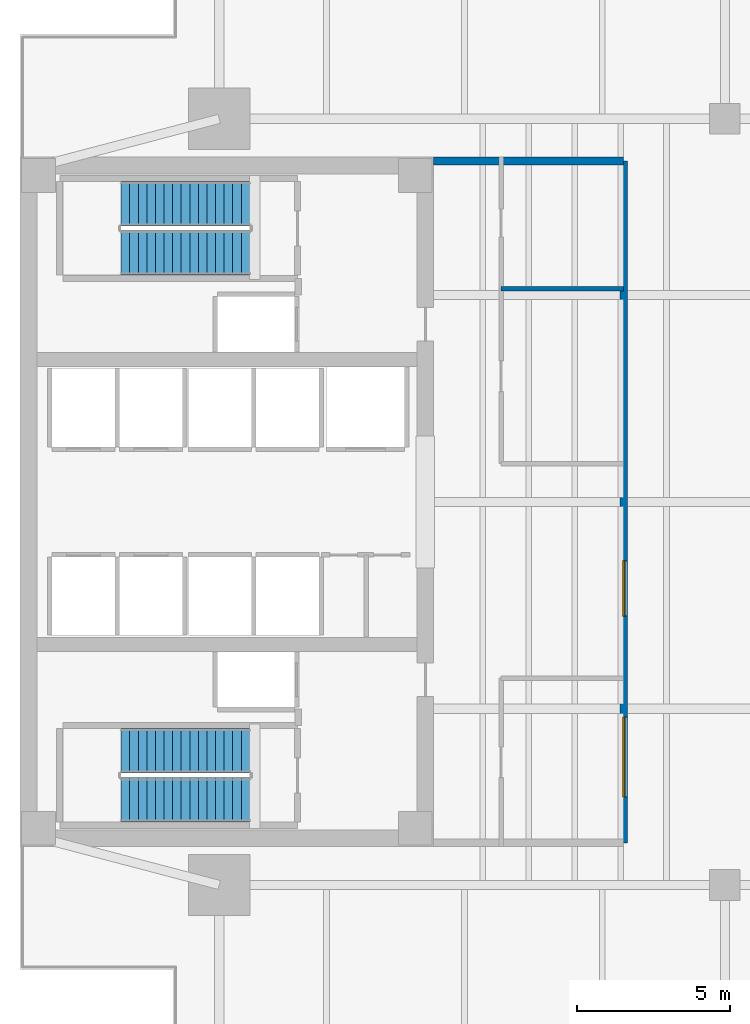
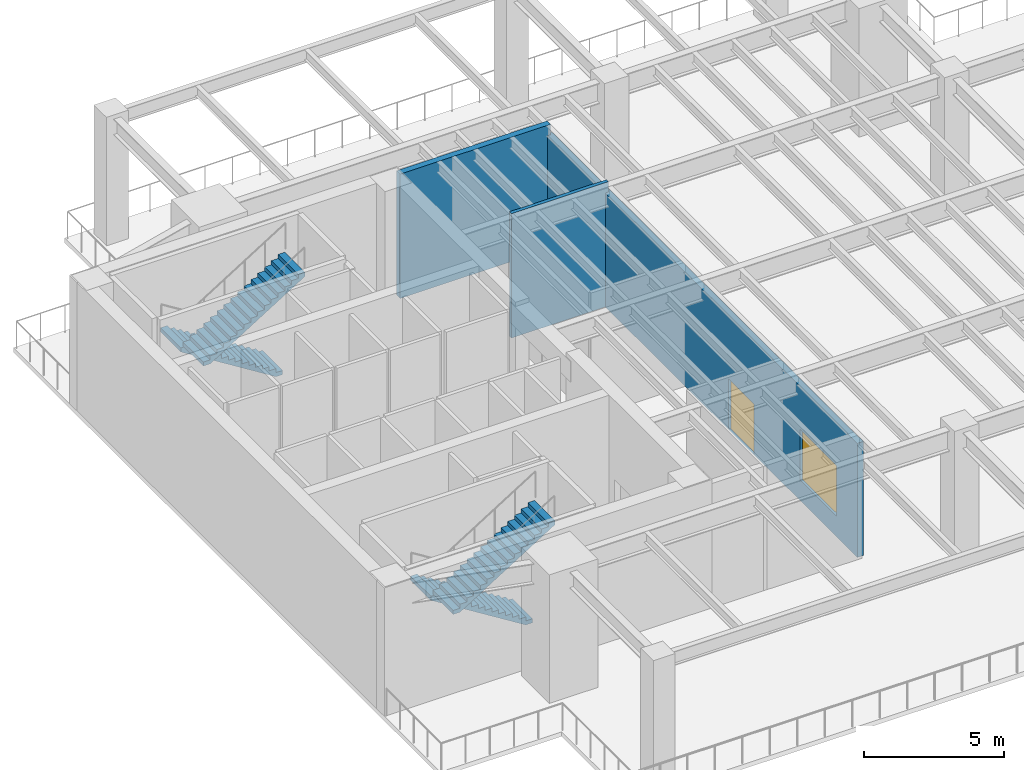
# One storey, part 4 of 8: 4 stair flights, 3 walls, 1 door, 1 window, 2 openings, 2 elements without a shape of their own.
"""IFC4 building model written with IfcOpenShell, lengths in metres."""

from ifc_helpers import new_model, si_unit, direction, frame, frame_2d, origin, place, context, subcontext, project, spatial, polyline, rectangle, outline, extrude, material, layer, layer_set, type_object, element, fill, aggregate, save


model = new_model("IFC4")

# Units and contexts
model_context = context("Model", 3, precision=1e-05, world=origin(), true_north=direction((0.0, 1.0)))
body_context = subcontext(model_context, "Body", "Model", "MODEL_VIEW")
ifc_project = project(units=[si_unit("LENGTHUNIT", "METRE"), si_unit("AREAUNIT", "SQUARE_METRE"), si_unit("VOLUMEUNIT", "CUBIC_METRE"), si_unit("PLANEANGLEUNIT", "RADIAN"), si_unit("MASSUNIT", "GRAM", prefix="KILO")], contexts=[model_context])

# Site, building, storey
site_placement = place(None, origin())
site = spatial("IfcSite", under=ifc_project, at=site_placement, CompositionType="ELEMENT")
building_placement = place(site_placement, origin())
building = spatial("IfcBuilding", under=site, at=building_placement, Name="Kinhvarn Gate Tower", CompositionType="ELEMENT")
storey_placement = place(building_placement, frame((0.0, 0.0, 178.050048828125)))
storey = spatial("IfcBuildingStorey", under=building, at=storey_placement, Name="L47", CompositionType="ELEMENT", Elevation=178.050048828125)

# Wall, openings, door, window
ifc_material_1 = material(Name="Fired architectural terracotta", Category="masonry")
ifc_layer_1 = layer(ifc_material_1, 0.25)
ifc_layer_set_1 = layer_set([ifc_layer_1], Name="Fired architectural terracotta")
wall_type_1 = type_object("IfcWallType", Name="WL-EXT-250", PredefinedType="SOLIDWALL", material=ifc_layer_set_1)
wall_1_placement = place(storey_placement, frame((24.199951171875, 14.125, 0.0), z_axis=(0.0, 0.0, 1.0), x_axis=(0.0, 1.0, 0.0)))
wall_1 = element("IfcWall", 1, at=wall_1_placement, inside=storey, type_object=wall_type_1, Name="Exterior Solidwall Wall EW-250 (L47 Portal-Vestibule-E)", PredefinedType="SOLIDWALL", context=body_context, shape_type="SweptSolid", body=[
    extrude(rectangle(XDim=22.25, YDim=0.25, at=frame_2d((11.125, 0.0))), origin(), (0.0, 0.0, 1.0), 4.969970703125),
])
opening_1_placement = place(wall_1_placement, frame((7.39990234375, 0.0, 0.0)))
opening_1 = element("IfcOpeningElement", 2, at=opening_1_placement, cuts=wall_1, Name="Opening TD-01", PredefinedType="OPENING", context=body_context, shape_type="SweptSolid", body=[
    extrude(rectangle(XDim=1.800048828125, YDim=2.199951171875, at=frame_2d((0.89990234375, 1.10009765625))), frame((0.0, 0.135009765625, 0.0), z_axis=(0.0, -1.0, 0.0), x_axis=(1.0, 0.0, 0.0)), (0.0, 0.0, 1.0), 0.27001953125),
])
opening_2_placement = place(wall_1_placement, frame((1.5, 0.0, 0.89990234375)))
opening_2 = element("IfcOpeningElement", 3, at=opening_2_placement, cuts=wall_1, Name="Opening WN-03", PredefinedType="OPENING", context=body_context, shape_type="SweptSolid", body=[
    extrude(rectangle(XDim=2.60009765625, YDim=2.199951171875, at=frame_2d((1.300048828125, 1.10009765625))), frame((0.0, 0.135009765625, 0.0), z_axis=(0.0, -1.0, 0.0), x_axis=(1.0, 0.0, 0.0)), (0.0, 0.0, 1.0), 0.27001953125),
])
ifc_material_2 = material(Name="Clear low-e double glazing", Category="glass")
door_type = type_object("IfcDoorType", Name="DR-TER-1800", OperationType="NOTDEFINED", PredefinedType="DOOR", material=ifc_material_2)
door_placement = place(opening_1_placement, frame((1.800048828125, 0.0, 0.0), z_axis=(0.0, 0.0, 1.0), x_axis=(-1.0, 0.0, 0.0)))
door = element("IfcDoor", 4, at=door_placement, inside=storey, type_object=door_type, Name="Wind Portal Deck Access Door TD-01", OperationType="DOUBLE_DOOR_SINGLE_SWING", OverallHeight=2.199951171875, OverallWidth=1.800048828125, PredefinedType="DOOR", context=body_context, shape_type="SweptSolid", body=[
    extrude(rectangle(XDim=1.800048828125, YDim=2.199951171875, at=frame_2d((0.89990234375, 1.10009765625))), frame((0.0, 0.02490234375, 0.0), z_axis=(0.0, -1.0, 0.0), x_axis=(1.0, 0.0, 0.0)), (0.0, 0.0, 1.0), 0.050048828125),
])
fill(opening_1, door)
window_type = type_object("IfcWindowType", Name="WIN-POD-2600", PartitioningType="SINGLE_PANEL", PredefinedType="WINDOW", material=ifc_material_2)
window_placement = place(opening_2_placement, origin())
window = element("IfcWindow", 5, at=window_placement, inside=storey, type_object=window_type, Name="Podium Gallery Punched Window 2600x2200 mm (L47)", OverallHeight=2.199951171875, OverallWidth=2.60009765625, PartitioningType="SINGLE_PANEL", PredefinedType="WINDOW", context=body_context, shape_type="SweptSolid", body=[
    extrude(rectangle(XDim=2.60009765625, YDim=2.199951171875, at=frame_2d((1.300048828125, 1.10009765625))), frame((0.0, 0.030029296875, 0.0), z_axis=(0.0, -1.0, 0.0), x_axis=(1.0, 0.0, 0.0)), (0.0, 0.0, 1.0), 0.06005859375),
])
fill(opening_2, window)

# Walls
wall_2_placement = place(storey_placement, frame((24.199951171875, 36.375, 0.0), z_axis=(0.0, 0.0, 1.0), x_axis=(-1.0, 0.0, 0.0)))
element("IfcWall", 6, at=wall_2_placement, inside=storey, type_object=wall_type_1, Name="Exterior Solidwall Wall EW-250 (L47 Portal-Vestibule-N)", PredefinedType="SOLIDWALL", context=body_context, shape_type="SweptSolid", body=[
    extrude(rectangle(XDim=6.199951171875, YDim=0.25, at=frame_2d((3.10009765625, 0.0))), origin(), (0.0, 0.0, 1.0), 5.419921875),
])
ifc_material_3 = material(Name="Gypsum acoustic partition board")
ifc_layer_2 = layer(ifc_material_3, 0.14990234375)
ifc_layer_set_2 = layer_set([ifc_layer_2], Name="Gypsum acoustic partition board")
wall_type_2 = type_object("IfcWallType", Name="WL-PLM-150", PredefinedType="PLUMBINGWALL", material=ifc_layer_set_2)
wall_3_placement = place(storey_placement, frame((20.199951171875, 32.199951171875, 0.0), z_axis=(0.0, 0.0, 1.0), x_axis=(1.0, 0.0, 0.0)))
element("IfcWall", 7, at=wall_3_placement, inside=storey, type_object=wall_type_2, Name="Interior Partition PLW-150 (L47)", PredefinedType="PLUMBINGWALL", context=body_context, shape_type="SweptSolid", body=[
    extrude(rectangle(XDim=4.0, YDim=0.14990234375, at=frame_2d((2.0, 0.0))), origin(), (0.0, 0.0, 1.0), 5.419921875),
])

# Stair, stair flights
ifc_material_4 = material(Name="Concrete C40/50", Category="concrete")
stair_type = type_object("IfcStairType", Name="STR-DLG-175", PredefinedType="HALF_TURN_STAIR", material=ifc_material_4)
stair_1_placement = place(storey_placement, origin())
stair_1 = element("IfcStair", 8, at=stair_1_placement, inside=storey, type_object=stair_type, Name="L47 Core Smokeproof Exit Stair ST1", PredefinedType="HALF_TURN_STAIR")
stair_flight_type = type_object("IfcStairFlightType", Name="STF-DLG-175", PredefinedType="STRAIGHT", material=ifc_material_4)
stair_flight_1_placement = place(storey_placement, frame((12.0, 17.125, 0.0), z_axis=(0.0, 0.0, 1.0), x_axis=(-1.0, 0.0, 0.0)))
stair_flight_1 = element("IfcStairFlight", 9, at=stair_flight_1_placement, type_object=stair_flight_type, Name="ST1 flight 1", NumberOfRisers=16, NumberOfTreads=15, PredefinedType="STRAIGHT", RiserHeight=0.175, TreadLength=0.28, context=body_context, shape_type="SweptSolid", body=[
    extrude(outline(polyline([(0.0, 0.0), (0.0, 0.175048828125), (0.280029296875, 0.175048828125), (0.280029296875, 0.35009765625), (0.56005859375, 0.35009765625), (0.56005859375, 0.52490234375), (0.840087890625, 0.52490234375), (0.840087890625, 0.699951171875), (1.1201171875, 0.699951171875), (1.1201171875, 0.875), (1.39990234375, 0.875), (1.39990234375, 1.050048828125), (1.679931640625, 1.050048828125), (1.679931640625, 1.22509765625), (1.9599609375, 1.22509765625), (1.9599609375, 1.39990234375), (2.239990234375, 1.39990234375), (2.239990234375, 1.574951171875), (2.52001953125, 1.574951171875), (2.52001953125, 1.75), (2.800048828125, 1.75), (2.800048828125, 1.925048828125), (3.080078125, 1.925048828125), (3.080078125, 2.10009765625), (3.360107421875, 2.10009765625), (3.360107421875, 2.27490234375), (3.639892578125, 2.27490234375), (3.639892578125, 2.449951171875), (3.919921875, 2.449951171875), (3.919921875, 2.625), (4.199951171875, 2.625), (4.199951171875, 2.800048828125), (4.199951171875, 2.4482421875), (0.28271484375, 0.0), (0.0, 0.0)])), frame((0.0, 0.72509765625, 0.0), z_axis=(0.0, -1.0, 0.0), x_axis=(1.0, 0.0, 0.0)), (0.0, 0.0, 1.0), 1.449951171875),
])
stair_flight_2_placement = place(storey_placement, frame((7.800048828125, 15.52490234375, 2.800048828125), z_axis=(0.0, 0.0, 1.0), x_axis=(1.0, 0.0, 0.0)))
stair_flight_2 = element("IfcStairFlight", 10, at=stair_flight_2_placement, type_object=stair_flight_type, Name="ST1 flight 2", NumberOfRisers=16, NumberOfTreads=15, PredefinedType="STRAIGHT", RiserHeight=0.175, TreadLength=0.28, context=body_context, shape_type="SweptSolid", body=[
    extrude(outline(polyline([(0.0, 0.0), (0.0, 0.175048828125), (0.280029296875, 0.175048828125), (0.280029296875, 0.35009765625), (0.56005859375, 0.35009765625), (0.56005859375, 0.52490234375), (0.840087890625, 0.52490234375), (0.840087890625, 0.699951171875), (1.1201171875, 0.699951171875), (1.1201171875, 0.875), (1.39990234375, 0.875), (1.39990234375, 1.050048828125), (1.679931640625, 1.050048828125), (1.679931640625, 1.22509765625), (1.9599609375, 1.22509765625), (1.9599609375, 1.39990234375), (2.239990234375, 1.39990234375), (2.239990234375, 1.574951171875), (2.52001953125, 1.574951171875), (2.52001953125, 1.75), (2.800048828125, 1.75), (2.800048828125, 1.925048828125), (3.080078125, 1.925048828125), (3.080078125, 2.10009765625), (3.360107421875, 2.10009765625), (3.360107421875, 2.27490234375), (3.639892578125, 2.27490234375), (3.639892578125, 2.449951171875), (3.919921875, 2.449951171875), (3.919921875, 2.625), (4.199951171875, 2.625), (4.199951171875, 2.800048828125), (4.199951171875, 2.4482421875), (0.28271484375, 0.0), (0.0, 0.0)])), frame((0.0, 0.72509765625, 0.0), z_axis=(0.0, -1.0, 0.0), x_axis=(1.0, 0.0, 0.0)), (0.0, 0.0, 1.0), 1.449951171875),
])
aggregate(stair_1, [stair_flight_1, stair_flight_2])

stair_2_placement = place(storey_placement, origin())
stair_2 = element("IfcStair", 11, at=stair_2_placement, inside=storey, type_object=stair_type, Name="L47 Core Smokeproof Exit Stair ST2", PredefinedType="HALF_TURN_STAIR")
stair_flight_3_placement = place(storey_placement, frame((12.0, 34.97509765625, 0.0), z_axis=(0.0, 0.0, 1.0), x_axis=(-1.0, 0.0, 0.0)))
stair_flight_3 = element("IfcStairFlight", 12, at=stair_flight_3_placement, type_object=stair_flight_type, Name="ST2 flight 1", NumberOfRisers=16, NumberOfTreads=15, PredefinedType="STRAIGHT", RiserHeight=0.175, TreadLength=0.28, context=body_context, shape_type="SweptSolid", body=[
    extrude(outline(polyline([(0.0, 0.0), (0.0, 0.175048828125), (0.280029296875, 0.175048828125), (0.280029296875, 0.35009765625), (0.56005859375, 0.35009765625), (0.56005859375, 0.52490234375), (0.840087890625, 0.52490234375), (0.840087890625, 0.699951171875), (1.1201171875, 0.699951171875), (1.1201171875, 0.875), (1.39990234375, 0.875), (1.39990234375, 1.050048828125), (1.679931640625, 1.050048828125), (1.679931640625, 1.22509765625), (1.9599609375, 1.22509765625), (1.9599609375, 1.39990234375), (2.239990234375, 1.39990234375), (2.239990234375, 1.574951171875), (2.52001953125, 1.574951171875), (2.52001953125, 1.75), (2.800048828125, 1.75), (2.800048828125, 1.925048828125), (3.080078125, 1.925048828125), (3.080078125, 2.10009765625), (3.360107421875, 2.10009765625), (3.360107421875, 2.27490234375), (3.639892578125, 2.27490234375), (3.639892578125, 2.449951171875), (3.919921875, 2.449951171875), (3.919921875, 2.625), (4.199951171875, 2.625), (4.199951171875, 2.800048828125), (4.199951171875, 2.4482421875), (0.28271484375, 0.0), (0.0, 0.0)])), frame((0.0, 0.72509765625, 0.0), z_axis=(0.0, -1.0, 0.0), x_axis=(1.0, 0.0, 0.0)), (0.0, 0.0, 1.0), 1.449951171875),
])
stair_flight_4_placement = place(storey_placement, frame((7.800048828125, 33.375, 2.800048828125), z_axis=(0.0, 0.0, 1.0), x_axis=(1.0, 0.0, 0.0)))
stair_flight_4 = element("IfcStairFlight", 13, at=stair_flight_4_placement, type_object=stair_flight_type, Name="ST2 flight 2", NumberOfRisers=16, NumberOfTreads=15, PredefinedType="STRAIGHT", RiserHeight=0.175, TreadLength=0.28, context=body_context, shape_type="SweptSolid", body=[
    extrude(outline(polyline([(0.0, 0.0), (0.0, 0.175048828125), (0.280029296875, 0.175048828125), (0.280029296875, 0.35009765625), (0.56005859375, 0.35009765625), (0.56005859375, 0.52490234375), (0.840087890625, 0.52490234375), (0.840087890625, 0.699951171875), (1.1201171875, 0.699951171875), (1.1201171875, 0.875), (1.39990234375, 0.875), (1.39990234375, 1.050048828125), (1.679931640625, 1.050048828125), (1.679931640625, 1.22509765625), (1.9599609375, 1.22509765625), (1.9599609375, 1.39990234375), (2.239990234375, 1.39990234375), (2.239990234375, 1.574951171875), (2.52001953125, 1.574951171875), (2.52001953125, 1.75), (2.800048828125, 1.75), (2.800048828125, 1.925048828125), (3.080078125, 1.925048828125), (3.080078125, 2.10009765625), (3.360107421875, 2.10009765625), (3.360107421875, 2.27490234375), (3.639892578125, 2.27490234375), (3.639892578125, 2.449951171875), (3.919921875, 2.449951171875), (3.919921875, 2.625), (4.199951171875, 2.625), (4.199951171875, 2.800048828125), (4.199951171875, 2.4482421875), (0.28271484375, 0.0), (0.0, 0.0)])), frame((0.0, 0.72509765625, 0.0), z_axis=(0.0, -1.0, 0.0), x_axis=(1.0, 0.0, 0.0)), (0.0, 0.0, 1.0), 1.449951171875),
])
aggregate(stair_2, [stair_flight_3, stair_flight_4])

save(model, "model.ifc")
